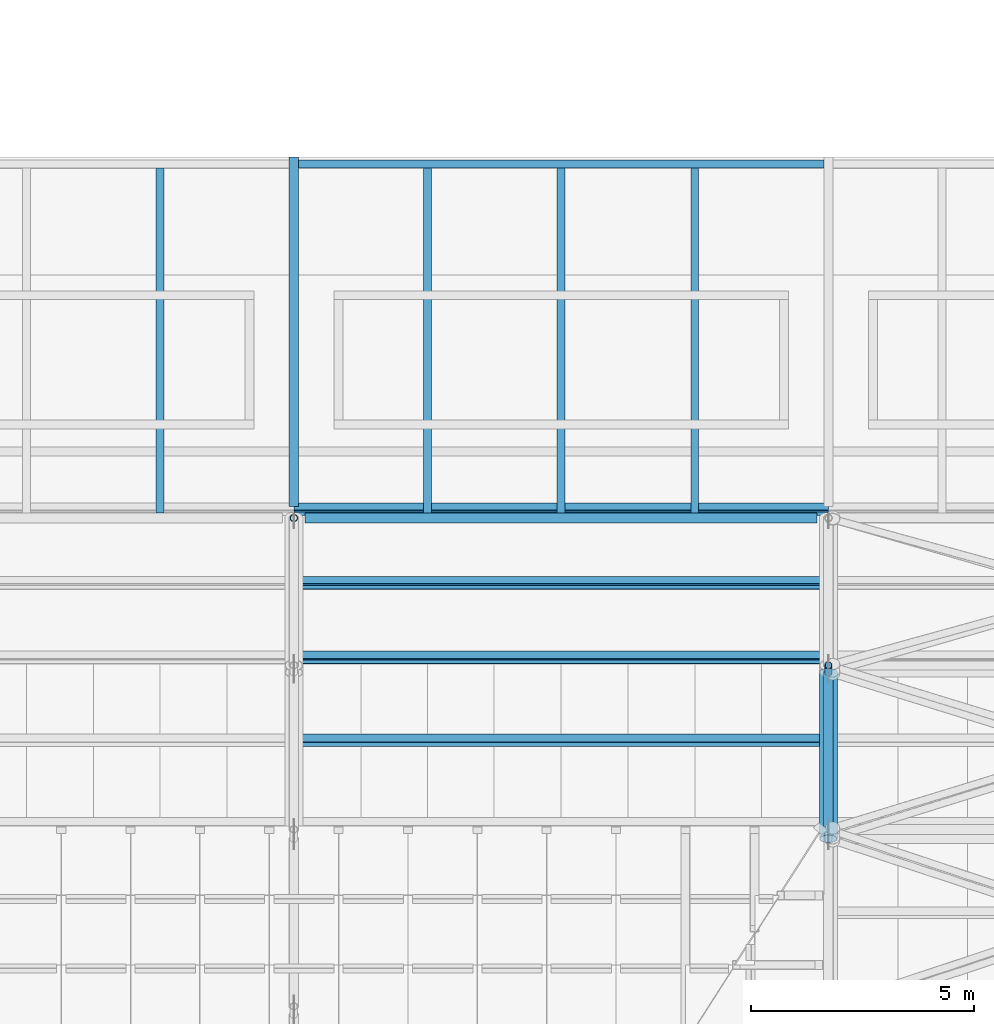
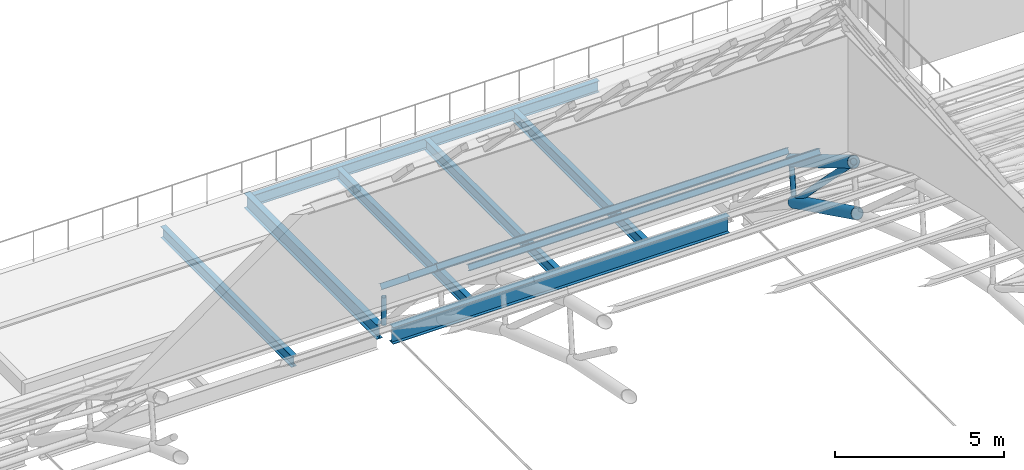
# One storey, part 41 of 110: 9 members, 7 beams.
"""IFC4 building model written with IfcOpenShell, lengths in metres."""

from ifc_helpers import new_model, si_unit, direction, frame, origin, origin_2d, place, context, subcontext, project, spatial, hollow_circle, i_section, extrude, material, material_profile, profile_set, type_object, element, save


model = new_model("IFC4")

# Units and contexts
model_context = context("Model", 3, precision=1e-05, world=origin(), true_north=direction((0.0, 1.0)))
body_context = subcontext(model_context, "Body", "Model", "MODEL_VIEW")
ifc_project = project(units=[si_unit("LENGTHUNIT", "METRE"), si_unit("AREAUNIT", "SQUARE_METRE"), si_unit("VOLUMEUNIT", "CUBIC_METRE"), si_unit("PLANEANGLEUNIT", "RADIAN"), si_unit("MASSUNIT", "GRAM", prefix="KILO")], contexts=[model_context])

# Site, building, storey
site_placement = place(None, origin())
site = spatial("IfcSite", under=ifc_project, at=site_placement, CompositionType="ELEMENT")
building_placement = place(site_placement, origin())
building = spatial("IfcBuilding", under=site, at=building_placement, Name="Windward Yard Aquatics Centre", CompositionType="ELEMENT")
storey_placement = place(building_placement, frame((0.0, 0.0, 22.60009765625)))
storey = spatial("IfcBuildingStorey", under=building, at=storey_placement, Name="L05", CompositionType="ELEMENT", Elevation=22.60009765625)

# Members
ifc_material_1 = material(Name="Steel ASTM A500 Gr C", Category="steel")
ifc_material_profile_1 = material_profile(ifc_material_1, hollow_circle(Radius=0.084228515625, WallThickness=0.010986328125, at=origin_2d()), Name="HSS168.3X11")
ifc_profile_set_1 = profile_set([ifc_material_profile_1], Name="Steel ASTM A500 Gr C")
member_type_1 = type_object("IfcMemberType", Name="H arch post HSS168.3X11", PredefinedType="POST", material=ifc_profile_set_1)
member_1_placement = place(storey_placement, frame((120.0, 80.39990234375, 0.0), z_axis=(0.0, 0.0, 1.0), x_axis=(1.0, 0.0, 0.0)))
element("IfcMember", 1, at=member_1_placement, inside=storey, type_object=member_type_1, Name="H.AT.6.WP11", PredefinedType="POST", context=body_context, shape_type="SweptSolid", body=[
    extrude(hollow_circle(Radius=0.084228515625, WallThickness=0.010986328125, at=origin_2d()), origin(), (0.0, 0.0, 1.0), 1.0),
])
member_2_placement = place(storey_placement, frame((132.0, 76.935302734375, 2.319580078125), z_axis=(0.0, 0.111745510026, 0.993736857015), x_axis=(-1.0, 0.0, 0.0)))
element("IfcMember", 2, at=member_2_placement, inside=storey, type_object=member_type_1, Name="H.AT.7.WP10", PredefinedType="POST", context=body_context, shape_type="SweptSolid", body=[
    extrude(hollow_circle(Radius=0.084228515625, WallThickness=0.010986328125, at=origin_2d()), origin(), (0.0, 0.0, 1.0), 1.406982421875),
])
ifc_material_profile_2 = material_profile(ifc_material_1, hollow_circle(Radius=0.203125, WallThickness=0.015869140625, at=origin_2d()), Name="HSS406.4X15.9")
ifc_profile_set_2 = profile_set([ifc_material_profile_2], Name="Steel ASTM A500 Gr C")
member_type_2 = type_object("IfcMemberType", Name="H arch top chord HSS406.4X15.9", PredefinedType="CHORD", material=ifc_profile_set_2)
member_3_placement = place(storey_placement, frame((132.0, 73.40966796875, 5.900390625), z_axis=(0.0, 0.860273006082, -0.509833654251), x_axis=(-1.0, 0.0, 0.0)))
element("IfcMember", 3, at=member_3_placement, inside=storey, type_object=member_type_2, Name="H.AT.7.TC09", PredefinedType="CHORD", context=body_context, shape_type="SweptSolid", body=[
    extrude(hollow_circle(Radius=0.203125, WallThickness=0.015869140625, at=origin_2d()), origin(), (0.0, 0.0, 1.0), 4.281005859375),
])
member_4_placement = place(storey_placement, frame((132.0, 73.197265625, 4.16650390625), z_axis=(0.0, 0.896536837976, -0.4429691842), x_axis=(-1.0, 0.0, 0.0)))
element("IfcMember", 4, at=member_4_placement, inside=storey, type_object=member_type_2, Name="H.AT.7.BC09", PredefinedType="CHORD", context=body_context, shape_type="SweptSolid", body=[
    extrude(hollow_circle(Radius=0.203125, WallThickness=0.015869140625, at=origin_2d()), origin(), (0.0, 0.0, 1.0), 4.16943359375),
])
ifc_material_profile_3 = material_profile(ifc_material_1, hollow_circle(Radius=0.109619140625, WallThickness=0.00830078125, at=origin_2d()), Name="HSS219.1X8.2")
ifc_profile_set_3 = profile_set([ifc_material_profile_3], Name="Steel ASTM A500 Gr C")
member_type_3 = type_object("IfcMemberType", Name="H arch web diagonal HSS219.1X8.2", PredefinedType="BRACE", material=ifc_profile_set_3)
member_5_placement = place(storey_placement, frame((132.0, 73.40966796875, 5.900390625), z_axis=(0.0, 0.701595524129, -0.712575413919), x_axis=(-1.0, 0.0, 0.0)))
element("IfcMember", 5, at=member_5_placement, inside=storey, type_object=member_type_3, Name="H.AT.7.WD09", PredefinedType="BRACE", context=body_context, shape_type="SweptSolid", body=[
    extrude(hollow_circle(Radius=0.109619140625, WallThickness=0.00830078125, at=origin_2d()), origin(), (0.0, 0.0, 1.0), 5.025146484375),
])

# Beam
ifc_material_2 = material(Name="Steel ASTM A992 Gr 50", Category="steel")
ifc_material_profile_4 = material_profile(ifc_material_2, i_section(OverallWidth=0.22802734375, OverallDepth=0.60205078125, WebThickness=0.010498046875, FlangeThickness=0.014892578125, at=origin_2d()), Name="W610X101")
ifc_profile_set_4 = profile_set([ifc_material_profile_4], Name="Steel ASTM A992 Gr 50")
beam_type_1 = type_object("IfcBeamType", Name="H eave girder W610X101", PredefinedType="BEAM", material=ifc_profile_set_4)
beam_1_placement = place(storey_placement, frame((120.25390625, 80.39990234375, -0.451171875), z_axis=(1.0, 0.0, 0.0), x_axis=(0.0, 1.0, 0.0)))
element("IfcBeam", 6, at=beam_1_placement, inside=storey, type_object=beam_type_1, Name="H.EG.N6", PredefinedType="BEAM", context=body_context, shape_type="SweptSolid", body=[
    extrude(i_section(OverallWidth=0.22802734375, OverallDepth=0.60205078125, WebThickness=0.010498046875, FlangeThickness=0.014892578125, at=origin_2d()), origin(), (0.0, 0.0, 1.0), 11.4921875),
])

# Members
ifc_material_profile_5 = material_profile(ifc_material_2, i_section(OverallWidth=0.202880859375, OverallDepth=0.202880859375, WebThickness=0.00732421875, FlangeThickness=0.010986328125, at=origin_2d()), Name="W200X46.1")
ifc_profile_set_5 = profile_set([ifc_material_profile_5], Name="Steel ASTM A992 Gr 50")
member_type_4 = type_object("IfcMemberType", Name="H roof purlin W200X46.1", PredefinedType="PURLIN", material=ifc_profile_set_5)
for number, where, z_axis, x_axis, name in (
    (7, (120.0, 75.406494140625, 5.0712890625), (1.0, 0.0, 0.0), (0.0, 0.860270260664, -0.509838286732), "H.PU.6.18"),
    (8, (120.0, 77.267333984375, 3.96728515625), (1.0, 0.0, 0.0), (0.0, 0.818830898872, -0.574034806481), "H.PU.6.19"),
    (9, (120.0, 78.939697265625, 2.59423828125), (1.0, 0.0, 0.0), (0.0, 0.772610863417, -0.634879873464), "H.PU.6.20"),
    (10, (120.0, 80.593505859375, 1.2353515625), (1.0, 0.0, 0.0), (0.0, 0.772610863417, -0.634879873464), "H.PU.6.21"),
):
    element("IfcMember", number, at=place(storey_placement, frame(where, z_axis=z_axis, x_axis=x_axis)), inside=storey, type_object=member_type_4, Name=name, PredefinedType="PURLIN", context=body_context, shape_type="SweptSolid", body=[
        extrude(i_section(OverallWidth=0.202880859375, OverallDepth=0.202880859375, WebThickness=0.00732421875, FlangeThickness=0.010986328125, at=origin_2d()), origin(), (0.0, 0.0, 1.0), 12.0),
    ])

# Beams
ifc_material_profile_6 = material_profile(ifc_material_2, i_section(OverallWidth=0.208984375, OverallDepth=0.528076171875, WebThickness=0.009521484375, FlangeThickness=0.01318359375, at=origin_2d()), Name="W530X82")
ifc_profile_set_6 = profile_set([ifc_material_profile_6], Name="Steel ASTM A992 Gr 50")
beam_type_2 = type_object("IfcBeamType", Name="H terrace primary beam W530X82", PredefinedType="BEAM", material=ifc_profile_set_6)
beam_2_placement = place(storey_placement, frame((120.0, 88.5, -0.4140625), z_axis=(0.0, -1.0, 0.0), x_axis=(1.0, 0.0, 0.0)))
element("IfcBeam", 11, at=beam_2_placement, inside=storey, type_object=beam_type_2, Name="H.T2B.N6", PredefinedType="BEAM", context=body_context, shape_type="SweptSolid", body=[
    extrude(i_section(OverallWidth=0.208984375, OverallDepth=0.528076171875, WebThickness=0.009521484375, FlangeThickness=0.01318359375, at=origin_2d()), origin(), (0.0, 0.0, 1.0), 7.845947265625),
])
ifc_material_profile_7 = material_profile(ifc_material_2, i_section(OverallWidth=0.177978515625, OverallDepth=0.406005859375, WebThickness=0.0078125, FlangeThickness=0.0126953125, at=origin_2d()), Name="W410X60")
ifc_profile_set_7 = profile_set([ifc_material_profile_7], Name="Steel ASTM A992 Gr 50")
beam_type_3 = type_object("IfcBeamType", Name="H terrace secondary beam W410X60", PredefinedType="BEAM", material=ifc_profile_set_7)
beam_3_placement = place(storey_placement, frame((117.0, 88.25341796875, -0.35302734375), z_axis=(0.0, -1.0, 0.0), x_axis=(1.0, 0.0, 0.0)))
element("IfcBeam", 12, at=beam_3_placement, inside=storey, type_object=beam_type_3, Name="H.T2S.N5.3", PredefinedType="BEAM", context=body_context, shape_type="SweptSolid", body=[
    extrude(i_section(OverallWidth=0.177978515625, OverallDepth=0.406005859375, WebThickness=0.0078125, FlangeThickness=0.0126953125, at=origin_2d()), origin(), (0.0, 0.0, 1.0), 7.739501953125),
])
beam_4_placement = place(storey_placement, frame((120.1044921875, 88.34228515625, -0.35302734375), z_axis=(1.0, 0.0, 0.0), x_axis=(0.0, 1.0, 0.0)))
element("IfcBeam", 13, at=beam_4_placement, inside=storey, type_object=beam_type_3, Name="H.T2E.N6", PredefinedType="BEAM", context=body_context, shape_type="SweptSolid", body=[
    extrude(i_section(OverallWidth=0.177978515625, OverallDepth=0.406005859375, WebThickness=0.0078125, FlangeThickness=0.0126953125, at=origin_2d()), origin(), (0.0, 0.0, 1.0), 11.791015625),
])
for number, where, z_axis, x_axis, name in (
    (14, (123.0, 88.25341796875, -0.35302734375), (0.0, -1.0, 0.0), (1.0, 0.0, 0.0), "H.T2S.N6.1"),
    (15, (126.0, 88.25341796875, -0.35302734375), (0.0, -1.0, 0.0), (1.0, 0.0, 0.0), "H.T2S.N6.2"),
    (16, (129.0, 88.25341796875, -0.35302734375), (0.0, -1.0, 0.0), (1.0, 0.0, 0.0), "H.T2S.N6.3"),
):
    element("IfcBeam", number, at=place(storey_placement, frame(where, z_axis=z_axis, x_axis=x_axis)), inside=storey, type_object=beam_type_3, Name=name, PredefinedType="BEAM", context=body_context, shape_type="SweptSolid", body=[
        extrude(i_section(OverallWidth=0.177978515625, OverallDepth=0.406005859375, WebThickness=0.0078125, FlangeThickness=0.0126953125, at=origin_2d()), origin(), (0.0, 0.0, 1.0), 7.739501953125),
    ])

save(model, "model.ifc")
